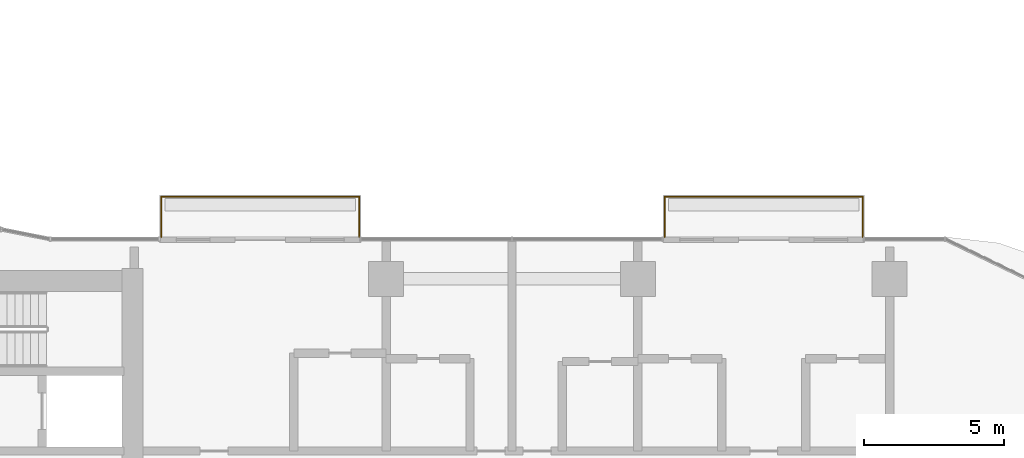
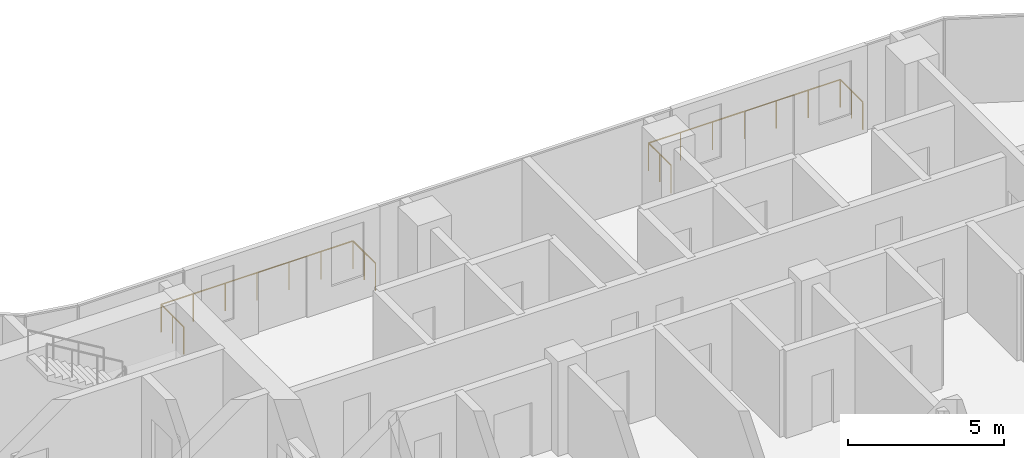
# One storey, part 20 of 21: 2 railings.
"""IFC4 building model written with IfcOpenShell, lengths in metres."""

from ifc_helpers import new_model, si_unit, direction, frame, origin, origin_2d, place, context, subcontext, project, spatial, circle, extrude, material, type_object, element, save


model = new_model("IFC4")

# Units and contexts
model_context = context("Model", 3, precision=1e-05, world=origin(), true_north=direction((0.0, 1.0)))
body_context = subcontext(model_context, "Body", "Model", "MODEL_VIEW")
ifc_project = project(units=[si_unit("LENGTHUNIT", "METRE"), si_unit("AREAUNIT", "SQUARE_METRE"), si_unit("VOLUMEUNIT", "CUBIC_METRE"), si_unit("PLANEANGLEUNIT", "RADIAN"), si_unit("MASSUNIT", "GRAM", prefix="KILO")], contexts=[model_context])

# Site, building, storey
site_placement = place(None, origin())
site = spatial("IfcSite", under=ifc_project, at=site_placement, CompositionType="ELEMENT")
building_placement = place(site_placement, origin())
building = spatial("IfcBuilding", under=site, at=building_placement, Name="Ogive Portal Towers", CompositionType="ELEMENT")
storey_placement = place(building_placement, frame((0.0, 0.0, 109.300048828125)))
storey = spatial("IfcBuildingStorey", under=building, at=storey_placement, Name="L26", CompositionType="ELEMENT", Elevation=109.300048828125)

# Railings
ifc_material = material(Name="Steel S355", Category="steel")
railing_type = type_object("IfcRailingType", Name="BALUSTRADE GLASS 1100", PredefinedType="BALUSTRADE", material=ifc_material)
railing_1_placement = place(storey_placement, frame((59.4599609375, 41.0, 0.0)))
element("IfcRailing", 1, at=railing_1_placement, inside=storey, type_object=railing_type, Name="A:L26:bal:T1:rail", PredefinedType="BALUSTRADE", context=body_context, shape_type="SweptSolid", body=[
    extrude(circle(Radius=0.02392578125, at=origin_2d()), frame((0.0, 0.0, 1.076171875), z_axis=(0.0, 1.0, 0.0), x_axis=(-1.0, 0.0, 0.0)), (0.0, 0.0, 1.0), 1.43994140625),
    extrude(circle(Radius=0.02392578125, at=origin_2d()), frame((0.0, 1.43994140625, 1.076171875), z_axis=(1.0, 0.0, 0.0), x_axis=(0.0, 1.0, 0.0)), (0.0, 0.0, 1.0), 7.080078125),
    extrude(circle(Radius=0.02392578125, at=origin_2d()), frame((7.080078125, 1.43994140625, 1.076171875), z_axis=(0.0, -1.0, 0.0), x_axis=(1.0, 0.0, 0.0)), (0.0, 0.0, 1.0), 1.43994140625),
    extrude(circle(Radius=0.02099609375, at=origin_2d()), origin(), (0.0, 0.0, 1.0), 1.052001953125),
    extrude(circle(Radius=0.02099609375, at=origin_2d()), frame((0.0, 0.719970703125, 0.0)), (0.0, 0.0, 1.0), 1.052001953125),
    extrude(circle(Radius=0.02099609375, at=origin_2d()), frame((0.0, 1.43994140625, 0.0)), (0.0, 0.0, 1.0), 1.052001953125),
    extrude(circle(Radius=0.02099609375, at=origin_2d()), frame((1.179931640625, 1.43994140625, 0.0)), (0.0, 0.0, 1.0), 1.052001953125),
    extrude(circle(Radius=0.02099609375, at=origin_2d()), frame((2.360107421875, 1.43994140625, 0.0)), (0.0, 0.0, 1.0), 1.052001953125),
    extrude(circle(Radius=0.02099609375, at=origin_2d()), frame((3.5400390625, 1.43994140625, 0.0)), (0.0, 0.0, 1.0), 1.052001953125),
    extrude(circle(Radius=0.02099609375, at=origin_2d()), frame((4.719970703125, 1.43994140625, 0.0)), (0.0, 0.0, 1.0), 1.052001953125),
    extrude(circle(Radius=0.02099609375, at=origin_2d()), frame((5.900146484375, 1.43994140625, 0.0)), (0.0, 0.0, 1.0), 1.052001953125),
    extrude(circle(Radius=0.02099609375, at=origin_2d()), frame((7.080078125, 1.43994140625, 0.0)), (0.0, 0.0, 1.0), 1.052001953125),
    extrude(circle(Radius=0.02099609375, at=origin_2d()), frame((7.080078125, 0.719970703125, 0.0)), (0.0, 0.0, 1.0), 1.052001953125),
    extrude(circle(Radius=0.02099609375, at=origin_2d()), frame((7.080078125, 0.0, 0.0)), (0.0, 0.0, 1.0), 1.052001953125),
])
railing_2_placement = place(storey_placement, frame((77.4599609375, 41.0, 0.0)))
element("IfcRailing", 2, at=railing_2_placement, inside=storey, type_object=railing_type, Name="A:L26:bal:T3:rail", PredefinedType="BALUSTRADE", context=body_context, shape_type="SweptSolid", body=[
    extrude(circle(Radius=0.02392578125, at=origin_2d()), frame((0.0, 0.0, 1.076171875), z_axis=(0.0, 1.0, 0.0), x_axis=(-1.0, 0.0, 0.0)), (0.0, 0.0, 1.0), 1.43994140625),
    extrude(circle(Radius=0.02392578125, at=origin_2d()), frame((0.0, 1.43994140625, 1.076171875), z_axis=(1.0, 0.0, 0.0), x_axis=(0.0, 1.0, 0.0)), (0.0, 0.0, 1.0), 7.080078125),
    extrude(circle(Radius=0.02392578125, at=origin_2d()), frame((7.080078125, 1.43994140625, 1.076171875), z_axis=(0.0, -1.0, 0.0), x_axis=(1.0, 0.0, 0.0)), (0.0, 0.0, 1.0), 1.43994140625),
    extrude(circle(Radius=0.02099609375, at=origin_2d()), origin(), (0.0, 0.0, 1.0), 1.052001953125),
    extrude(circle(Radius=0.02099609375, at=origin_2d()), frame((0.0, 0.719970703125, 0.0)), (0.0, 0.0, 1.0), 1.052001953125),
    extrude(circle(Radius=0.02099609375, at=origin_2d()), frame((0.0, 1.43994140625, 0.0)), (0.0, 0.0, 1.0), 1.052001953125),
    extrude(circle(Radius=0.02099609375, at=origin_2d()), frame((1.179931640625, 1.43994140625, 0.0)), (0.0, 0.0, 1.0), 1.052001953125),
    extrude(circle(Radius=0.02099609375, at=origin_2d()), frame((2.360107421875, 1.43994140625, 0.0)), (0.0, 0.0, 1.0), 1.052001953125),
    extrude(circle(Radius=0.02099609375, at=origin_2d()), frame((3.5400390625, 1.43994140625, 0.0)), (0.0, 0.0, 1.0), 1.052001953125),
    extrude(circle(Radius=0.02099609375, at=origin_2d()), frame((4.719970703125, 1.43994140625, 0.0)), (0.0, 0.0, 1.0), 1.052001953125),
    extrude(circle(Radius=0.02099609375, at=origin_2d()), frame((5.900146484375, 1.43994140625, 0.0)), (0.0, 0.0, 1.0), 1.052001953125),
    extrude(circle(Radius=0.02099609375, at=origin_2d()), frame((7.080078125, 1.43994140625, 0.0)), (0.0, 0.0, 1.0), 1.052001953125),
    extrude(circle(Radius=0.02099609375, at=origin_2d()), frame((7.080078125, 0.719970703125, 0.0)), (0.0, 0.0, 1.0), 1.052001953125),
    extrude(circle(Radius=0.02099609375, at=origin_2d()), frame((7.080078125, 0.0, 0.0)), (0.0, 0.0, 1.0), 1.052001953125),
])

save(model, "model.ifc")
